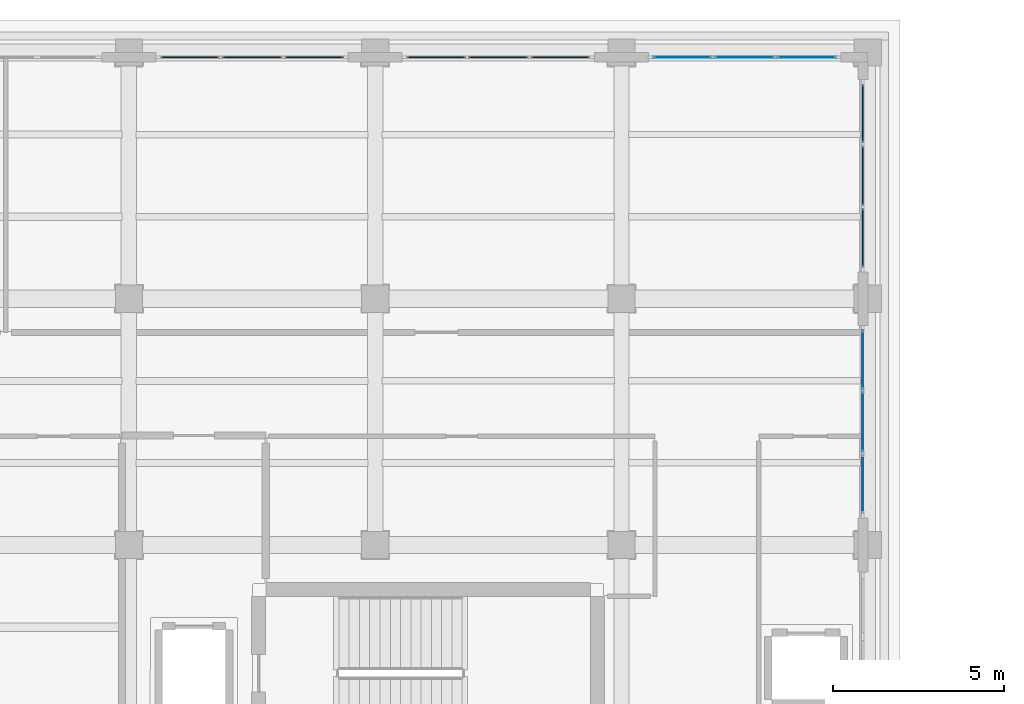
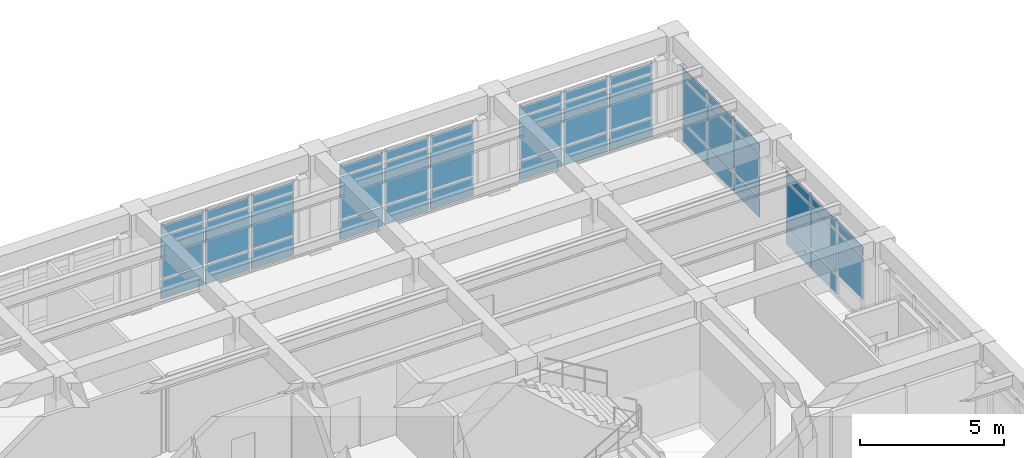
# One storey, part 77 of 98: 44 plates, 5 elements without a shape of their own.
"""IFC4 building model written with IfcOpenShell, lengths in metres."""

from ifc_helpers import new_model, si_unit, direction, frame, origin, origin_2d, place, context, subcontext, project, spatial, rectangle, extrude, material, layer, layer_set, type_object, element, aggregate, save


model = new_model("IFC4")

# Units and contexts
model_context = context("Model", 3, precision=1e-05, world=origin(), true_north=direction((0.0, 1.0)))
body_context = subcontext(model_context, "Body", "Model", "MODEL_VIEW")
ifc_project = project(units=[si_unit("LENGTHUNIT", "METRE"), si_unit("AREAUNIT", "SQUARE_METRE"), si_unit("VOLUMEUNIT", "CUBIC_METRE"), si_unit("PLANEANGLEUNIT", "RADIAN"), si_unit("MASSUNIT", "GRAM", prefix="KILO")], contexts=[model_context])

# Site, building, storey
site_placement = place(None, origin())
site = spatial("IfcSite", under=ifc_project, at=site_placement, CompositionType="ELEMENT")
building_placement = place(site_placement, origin())
building = spatial("IfcBuilding", under=site, at=building_placement, Name="Solenvale Faculty of Natural Sciences", CompositionType="ELEMENT")
storey_placement = place(building_placement, frame((0.0, 0.0, 9.0)))
storey = spatial("IfcBuildingStorey", under=building, at=storey_placement, Name="L02", CompositionType="ELEMENT", Elevation=9.0)

# Curtain wall, plates
ifc_material_1 = material(Name="Anodised bronze aluminium", Category="aluminium")
ifc_layer_1 = layer(ifc_material_1, 0.179931640625)
ifc_layer_set_1 = layer_set([ifc_layer_1], Name="Anodised bronze aluminium")
curtain_wall_type = type_object("IfcCurtainWallType", Name="CW-TWR-MOD", PredefinedType="USERDEFINED", material=ifc_layer_set_1)
curtain_wall_1_placement = place(storey_placement, origin())
curtain_wall_1 = element("IfcCurtainWall", 1, at=curtain_wall_1_placement, inside=storey, type_object=curtain_wall_type, Name="L02 Curtain Wall CW-L02-P2-E3-B2", ObjectType="UNITISED CURTAIN WALL", PredefinedType="USERDEFINED")
ifc_material_2 = material(Name="North-light skylight glass", Category="glass")
ifc_layer_2 = layer(ifc_material_2, 0.028076171875)
ifc_layer_set_2 = layer_set([ifc_layer_2], Name="North-light skylight glass")
plate_type_1 = type_object("IfcPlateType", Name="CWP-PNL-28", PredefinedType="CURTAIN_PANEL", material=ifc_layer_set_2)
plate_1_placement = place(storey_placement, frame((151.0576171875, 102.58544921875, 0.9375), z_axis=(0.0, 0.0, 1.0), x_axis=(0.0, 1.0, 0.0)))
plate_1 = element("IfcPlate", 2, at=plate_1_placement, type_object=plate_type_1, Name="CW-04 panel 1.2", PredefinedType="CURTAIN_PANEL", context=body_context, shape_type="SweptSolid", body=[
    extrude(rectangle(XDim=1.720947265625, YDim=0.028076171875, at=origin_2d()), origin(), (0.0, 0.0, 1.0), 1.784912109375),
])
plate_2_placement = place(storey_placement, frame((151.0576171875, 102.58544921875, 2.79736328125), z_axis=(0.0, 0.0, 1.0), x_axis=(0.0, 1.0, 0.0)))
plate_2 = element("IfcPlate", 3, at=plate_2_placement, type_object=plate_type_1, Name="CW-04 panel 1.3", PredefinedType="CURTAIN_PANEL", context=body_context, shape_type="SweptSolid", body=[
    extrude(rectangle(XDim=1.720947265625, YDim=0.028076171875, at=origin_2d()), origin(), (0.0, 0.0, 1.0), 0.387451171875),
])
plate_3_placement = place(storey_placement, frame((151.0576171875, 104.39990234375, 0.074951171875), z_axis=(0.0, 0.0, 1.0), x_axis=(0.0, 1.0, 0.0)))
plate_3 = element("IfcPlate", 4, at=plate_3_placement, type_object=plate_type_1, Name="CW-04 panel 2.1", PredefinedType="CURTAIN_PANEL", context=body_context, shape_type="SweptSolid", body=[
    extrude(rectangle(XDim=1.75830078125, YDim=0.028076171875, at=origin_2d()), origin(), (0.0, 0.0, 1.0), 0.78759765625),
])
plate_4_placement = place(storey_placement, frame((151.0576171875, 104.39990234375, 0.9375), z_axis=(0.0, 0.0, 1.0), x_axis=(0.0, 1.0, 0.0)))
plate_4 = element("IfcPlate", 5, at=plate_4_placement, type_object=plate_type_1, Name="CW-04 panel 2.2", PredefinedType="CURTAIN_PANEL", context=body_context, shape_type="SweptSolid", body=[
    extrude(rectangle(XDim=1.75830078125, YDim=0.028076171875, at=origin_2d()), origin(), (0.0, 0.0, 1.0), 1.784912109375),
])
plate_5_placement = place(storey_placement, frame((151.0576171875, 104.39990234375, 2.79736328125), z_axis=(0.0, 0.0, 1.0), x_axis=(0.0, 1.0, 0.0)))
plate_5 = element("IfcPlate", 6, at=plate_5_placement, type_object=plate_type_1, Name="CW-04 panel 2.3", PredefinedType="CURTAIN_PANEL", context=body_context, shape_type="SweptSolid", body=[
    extrude(rectangle(XDim=1.75830078125, YDim=0.028076171875, at=origin_2d()), origin(), (0.0, 0.0, 1.0), 0.387451171875),
])
plate_6_placement = place(storey_placement, frame((151.0576171875, 106.214599609375, 0.074951171875), z_axis=(0.0, 0.0, 1.0), x_axis=(0.0, 1.0, 0.0)))
plate_6 = element("IfcPlate", 7, at=plate_6_placement, type_object=plate_type_1, Name="CW-04 panel 3.1", PredefinedType="CURTAIN_PANEL", context=body_context, shape_type="SweptSolid", body=[
    extrude(rectangle(XDim=1.720947265625, YDim=0.028076171875, at=origin_2d()), origin(), (0.0, 0.0, 1.0), 0.78759765625),
])
plate_7_placement = place(storey_placement, frame((151.0576171875, 106.214599609375, 0.9375), z_axis=(0.0, 0.0, 1.0), x_axis=(0.0, 1.0, 0.0)))
plate_7 = element("IfcPlate", 8, at=plate_7_placement, type_object=plate_type_1, Name="CW-04 panel 3.2", PredefinedType="CURTAIN_PANEL", context=body_context, shape_type="SweptSolid", body=[
    extrude(rectangle(XDim=1.720947265625, YDim=0.028076171875, at=origin_2d()), origin(), (0.0, 0.0, 1.0), 1.784912109375),
])
plate_8_placement = place(storey_placement, frame((151.0576171875, 106.214599609375, 2.79736328125), z_axis=(0.0, 0.0, 1.0), x_axis=(0.0, 1.0, 0.0)))
plate_8 = element("IfcPlate", 9, at=plate_8_placement, type_object=plate_type_1, Name="CW-04 panel 3.3", PredefinedType="CURTAIN_PANEL", context=body_context, shape_type="SweptSolid", body=[
    extrude(rectangle(XDim=1.720947265625, YDim=0.028076171875, at=origin_2d()), origin(), (0.0, 0.0, 1.0), 0.387451171875),
])
aggregate(curtain_wall_1, [plate_1, plate_2, plate_3, plate_4, plate_5, plate_6, plate_7, plate_8])

curtain_wall_2_placement = place(storey_placement, origin())
curtain_wall_2 = element("IfcCurtainWall", 10, at=curtain_wall_2_placement, inside=storey, type_object=curtain_wall_type, Name="L02 Curtain Wall CW-L02-P2-E4-B1", ObjectType="UNITISED CURTAIN WALL", PredefinedType="USERDEFINED")
plate_9_placement = place(storey_placement, frame((149.41455078125, 115.0576171875, 0.074951171875), z_axis=(0.0, 0.0, 1.0), x_axis=(-1.0, 0.0, 0.0)))
plate_9 = element("IfcPlate", 11, at=plate_9_placement, type_object=plate_type_1, Name="CW-04 panel 1.1", PredefinedType="CURTAIN_PANEL", context=body_context, shape_type="SweptSolid", body=[
    extrude(rectangle(XDim=1.720947265625, YDim=0.028076171875, at=origin_2d()), origin(), (0.0, 0.0, 1.0), 0.78759765625),
])
plate_10_placement = place(storey_placement, frame((149.41455078125, 115.0576171875, 0.9375), z_axis=(0.0, 0.0, 1.0), x_axis=(-1.0, 0.0, 0.0)))
plate_10 = element("IfcPlate", 12, at=plate_10_placement, type_object=plate_type_1, Name="CW-04 panel 1.2", PredefinedType="CURTAIN_PANEL", context=body_context, shape_type="SweptSolid", body=[
    extrude(rectangle(XDim=1.720947265625, YDim=0.028076171875, at=origin_2d()), origin(), (0.0, 0.0, 1.0), 1.784912109375),
])
plate_11_placement = place(storey_placement, frame((149.41455078125, 115.0576171875, 2.79736328125), z_axis=(0.0, 0.0, 1.0), x_axis=(-1.0, 0.0, 0.0)))
plate_11 = element("IfcPlate", 13, at=plate_11_placement, type_object=plate_type_1, Name="CW-04 panel 1.3", PredefinedType="CURTAIN_PANEL", context=body_context, shape_type="SweptSolid", body=[
    extrude(rectangle(XDim=1.720947265625, YDim=0.028076171875, at=origin_2d()), origin(), (0.0, 0.0, 1.0), 0.387451171875),
])
plate_12_placement = place(storey_placement, frame((147.60009765625, 115.0576171875, 0.074951171875), z_axis=(0.0, 0.0, 1.0), x_axis=(-1.0, 0.0, 0.0)))
plate_12 = element("IfcPlate", 14, at=plate_12_placement, type_object=plate_type_1, Name="CW-04 panel 2.1", PredefinedType="CURTAIN_PANEL", context=body_context, shape_type="SweptSolid", body=[
    extrude(rectangle(XDim=1.75830078125, YDim=0.028076171875, at=origin_2d()), origin(), (0.0, 0.0, 1.0), 0.78759765625),
])
plate_13_placement = place(storey_placement, frame((147.60009765625, 115.0576171875, 0.9375), z_axis=(0.0, 0.0, 1.0), x_axis=(-1.0, 0.0, 0.0)))
plate_13 = element("IfcPlate", 15, at=plate_13_placement, type_object=plate_type_1, Name="CW-04 panel 2.2", PredefinedType="CURTAIN_PANEL", context=body_context, shape_type="SweptSolid", body=[
    extrude(rectangle(XDim=1.75830078125, YDim=0.028076171875, at=origin_2d()), origin(), (0.0, 0.0, 1.0), 1.784912109375),
])
plate_14_placement = place(storey_placement, frame((147.60009765625, 115.0576171875, 2.79736328125), z_axis=(0.0, 0.0, 1.0), x_axis=(-1.0, 0.0, 0.0)))
plate_14 = element("IfcPlate", 16, at=plate_14_placement, type_object=plate_type_1, Name="CW-04 panel 2.3", PredefinedType="CURTAIN_PANEL", context=body_context, shape_type="SweptSolid", body=[
    extrude(rectangle(XDim=1.75830078125, YDim=0.028076171875, at=origin_2d()), origin(), (0.0, 0.0, 1.0), 0.387451171875),
])
plate_15_placement = place(storey_placement, frame((145.785400390625, 115.0576171875, 0.074951171875), z_axis=(0.0, 0.0, 1.0), x_axis=(-1.0, 0.0, 0.0)))
plate_15 = element("IfcPlate", 17, at=plate_15_placement, type_object=plate_type_1, Name="CW-04 panel 3.1", PredefinedType="CURTAIN_PANEL", context=body_context, shape_type="SweptSolid", body=[
    extrude(rectangle(XDim=1.720947265625, YDim=0.028076171875, at=origin_2d()), origin(), (0.0, 0.0, 1.0), 0.78759765625),
])
plate_16_placement = place(storey_placement, frame((145.785400390625, 115.0576171875, 0.9375), z_axis=(0.0, 0.0, 1.0), x_axis=(-1.0, 0.0, 0.0)))
plate_16 = element("IfcPlate", 18, at=plate_16_placement, type_object=plate_type_1, Name="CW-04 panel 3.2", PredefinedType="CURTAIN_PANEL", context=body_context, shape_type="SweptSolid", body=[
    extrude(rectangle(XDim=1.720947265625, YDim=0.028076171875, at=origin_2d()), origin(), (0.0, 0.0, 1.0), 1.784912109375),
])
plate_17_placement = place(storey_placement, frame((145.785400390625, 115.0576171875, 2.79736328125), z_axis=(0.0, 0.0, 1.0), x_axis=(-1.0, 0.0, 0.0)))
plate_17 = element("IfcPlate", 19, at=plate_17_placement, type_object=plate_type_1, Name="CW-04 panel 3.3", PredefinedType="CURTAIN_PANEL", context=body_context, shape_type="SweptSolid", body=[
    extrude(rectangle(XDim=1.720947265625, YDim=0.028076171875, at=origin_2d()), origin(), (0.0, 0.0, 1.0), 0.387451171875),
])
aggregate(curtain_wall_2, [plate_9, plate_10, plate_11, plate_12, plate_13, plate_14, plate_15, plate_16, plate_17])

curtain_wall_3_placement = place(storey_placement, origin())
curtain_wall_3 = element("IfcCurtainWall", 20, at=curtain_wall_3_placement, inside=storey, type_object=curtain_wall_type, Name="L02 Curtain Wall CW-L02-P2-E3-B3", ObjectType="UNITISED CURTAIN WALL", PredefinedType="USERDEFINED")
ifc_material_3 = material(Name="Triple low-E insulated glass", Category="glass")
ifc_layer_3 = layer(ifc_material_3, 0.031982421875)
ifc_layer_set_3 = layer_set([ifc_layer_3], Name="Triple low-E insulated glass")
plate_type_2 = type_object("IfcPlateType", Name="CWP-PNL-32", PredefinedType="CURTAIN_PANEL", material=ifc_layer_set_3)
plate_18_placement = place(storey_placement, frame((151.0576171875, 109.785400390625, 0.074951171875), z_axis=(0.0, 0.0, 1.0), x_axis=(0.0, 1.0, 0.0)))
plate_18 = element("IfcPlate", 21, at=plate_18_placement, type_object=plate_type_2, Name="CW-04 panel 1.1", PredefinedType="CURTAIN_PANEL", context=body_context, shape_type="SweptSolid", body=[
    extrude(rectangle(XDim=1.720947265625, YDim=0.031982421875, at=origin_2d()), origin(), (0.0, 0.0, 1.0), 0.78759765625),
])
plate_19_placement = place(storey_placement, frame((151.0576171875, 109.785400390625, 0.9375), z_axis=(0.0, 0.0, 1.0), x_axis=(0.0, 1.0, 0.0)))
plate_19 = element("IfcPlate", 22, at=plate_19_placement, type_object=plate_type_2, Name="CW-04 panel 1.2", PredefinedType="CURTAIN_PANEL", context=body_context, shape_type="SweptSolid", body=[
    extrude(rectangle(XDim=1.720947265625, YDim=0.031982421875, at=origin_2d()), origin(), (0.0, 0.0, 1.0), 1.784912109375),
])
plate_20_placement = place(storey_placement, frame((151.0576171875, 109.785400390625, 2.79736328125), z_axis=(0.0, 0.0, 1.0), x_axis=(0.0, 1.0, 0.0)))
plate_20 = element("IfcPlate", 23, at=plate_20_placement, type_object=plate_type_2, Name="CW-04 panel 1.3", PredefinedType="CURTAIN_PANEL", context=body_context, shape_type="SweptSolid", body=[
    extrude(rectangle(XDim=1.720947265625, YDim=0.031982421875, at=origin_2d()), origin(), (0.0, 0.0, 1.0), 0.387451171875),
])
plate_21_placement = place(storey_placement, frame((151.0576171875, 111.60009765625, 0.074951171875), z_axis=(0.0, 0.0, 1.0), x_axis=(0.0, 1.0, 0.0)))
plate_21 = element("IfcPlate", 24, at=plate_21_placement, type_object=plate_type_2, Name="CW-04 panel 2.1", PredefinedType="CURTAIN_PANEL", context=body_context, shape_type="SweptSolid", body=[
    extrude(rectangle(XDim=1.75830078125, YDim=0.031982421875, at=origin_2d()), origin(), (0.0, 0.0, 1.0), 0.78759765625),
])
plate_22_placement = place(storey_placement, frame((151.0576171875, 111.60009765625, 0.9375), z_axis=(0.0, 0.0, 1.0), x_axis=(0.0, 1.0, 0.0)))
plate_22 = element("IfcPlate", 25, at=plate_22_placement, type_object=plate_type_2, Name="CW-04 panel 2.2", PredefinedType="CURTAIN_PANEL", context=body_context, shape_type="SweptSolid", body=[
    extrude(rectangle(XDim=1.75830078125, YDim=0.031982421875, at=origin_2d()), origin(), (0.0, 0.0, 1.0), 1.784912109375),
])
plate_23_placement = place(storey_placement, frame((151.0576171875, 111.60009765625, 2.79736328125), z_axis=(0.0, 0.0, 1.0), x_axis=(0.0, 1.0, 0.0)))
plate_23 = element("IfcPlate", 26, at=plate_23_placement, type_object=plate_type_2, Name="CW-04 panel 2.3", PredefinedType="CURTAIN_PANEL", context=body_context, shape_type="SweptSolid", body=[
    extrude(rectangle(XDim=1.75830078125, YDim=0.031982421875, at=origin_2d()), origin(), (0.0, 0.0, 1.0), 0.387451171875),
])
plate_24_placement = place(storey_placement, frame((151.0576171875, 113.41455078125, 0.074951171875), z_axis=(0.0, 0.0, 1.0), x_axis=(0.0, 1.0, 0.0)))
plate_24 = element("IfcPlate", 27, at=plate_24_placement, type_object=plate_type_2, Name="CW-04 panel 3.1", PredefinedType="CURTAIN_PANEL", context=body_context, shape_type="SweptSolid", body=[
    extrude(rectangle(XDim=1.720947265625, YDim=0.031982421875, at=origin_2d()), origin(), (0.0, 0.0, 1.0), 0.78759765625),
])
plate_25_placement = place(storey_placement, frame((151.0576171875, 113.41455078125, 0.9375), z_axis=(0.0, 0.0, 1.0), x_axis=(0.0, 1.0, 0.0)))
plate_25 = element("IfcPlate", 28, at=plate_25_placement, type_object=plate_type_2, Name="CW-04 panel 3.2", PredefinedType="CURTAIN_PANEL", context=body_context, shape_type="SweptSolid", body=[
    extrude(rectangle(XDim=1.720947265625, YDim=0.031982421875, at=origin_2d()), origin(), (0.0, 0.0, 1.0), 1.784912109375),
])
plate_26_placement = place(storey_placement, frame((151.0576171875, 113.41455078125, 2.79736328125), z_axis=(0.0, 0.0, 1.0), x_axis=(0.0, 1.0, 0.0)))
plate_26 = element("IfcPlate", 29, at=plate_26_placement, type_object=plate_type_2, Name="CW-04 panel 3.3", PredefinedType="CURTAIN_PANEL", context=body_context, shape_type="SweptSolid", body=[
    extrude(rectangle(XDim=1.720947265625, YDim=0.031982421875, at=origin_2d()), origin(), (0.0, 0.0, 1.0), 0.387451171875),
])
aggregate(curtain_wall_3, [plate_18, plate_19, plate_20, plate_21, plate_22, plate_23, plate_24, plate_25, plate_26])

curtain_wall_4_placement = place(storey_placement, origin())
curtain_wall_4 = element("IfcCurtainWall", 30, at=curtain_wall_4_placement, inside=storey, type_object=curtain_wall_type, Name="L02 Curtain Wall CW-L02-P2-E4-B2", ObjectType="UNITISED CURTAIN WALL", PredefinedType="USERDEFINED")
plate_27_placement = place(storey_placement, frame((142.214599609375, 115.0576171875, 0.074951171875), z_axis=(0.0, 0.0, 1.0), x_axis=(-1.0, 0.0, 0.0)))
plate_27 = element("IfcPlate", 31, at=plate_27_placement, type_object=plate_type_2, Name="CW-04 panel 1.1", PredefinedType="CURTAIN_PANEL", context=body_context, shape_type="SweptSolid", body=[
    extrude(rectangle(XDim=1.720947265625, YDim=0.031982421875, at=origin_2d()), origin(), (0.0, 0.0, 1.0), 0.78759765625),
])
plate_28_placement = place(storey_placement, frame((142.214599609375, 115.0576171875, 0.9375), z_axis=(0.0, 0.0, 1.0), x_axis=(-1.0, 0.0, 0.0)))
plate_28 = element("IfcPlate", 32, at=plate_28_placement, type_object=plate_type_2, Name="CW-04 panel 1.2", PredefinedType="CURTAIN_PANEL", context=body_context, shape_type="SweptSolid", body=[
    extrude(rectangle(XDim=1.720947265625, YDim=0.031982421875, at=origin_2d()), origin(), (0.0, 0.0, 1.0), 1.784912109375),
])
plate_29_placement = place(storey_placement, frame((142.214599609375, 115.0576171875, 2.79736328125), z_axis=(0.0, 0.0, 1.0), x_axis=(-1.0, 0.0, 0.0)))
plate_29 = element("IfcPlate", 33, at=plate_29_placement, type_object=plate_type_2, Name="CW-04 panel 1.3", PredefinedType="CURTAIN_PANEL", context=body_context, shape_type="SweptSolid", body=[
    extrude(rectangle(XDim=1.720947265625, YDim=0.031982421875, at=origin_2d()), origin(), (0.0, 0.0, 1.0), 0.387451171875),
])
plate_30_placement = place(storey_placement, frame((140.39990234375, 115.0576171875, 0.074951171875), z_axis=(0.0, 0.0, 1.0), x_axis=(-1.0, 0.0, 0.0)))
plate_30 = element("IfcPlate", 34, at=plate_30_placement, type_object=plate_type_2, Name="CW-04 panel 2.1", PredefinedType="CURTAIN_PANEL", context=body_context, shape_type="SweptSolid", body=[
    extrude(rectangle(XDim=1.75830078125, YDim=0.031982421875, at=origin_2d()), origin(), (0.0, 0.0, 1.0), 0.78759765625),
])
plate_31_placement = place(storey_placement, frame((140.39990234375, 115.0576171875, 0.9375), z_axis=(0.0, 0.0, 1.0), x_axis=(-1.0, 0.0, 0.0)))
plate_31 = element("IfcPlate", 35, at=plate_31_placement, type_object=plate_type_2, Name="CW-04 panel 2.2", PredefinedType="CURTAIN_PANEL", context=body_context, shape_type="SweptSolid", body=[
    extrude(rectangle(XDim=1.75830078125, YDim=0.031982421875, at=origin_2d()), origin(), (0.0, 0.0, 1.0), 1.784912109375),
])
plate_32_placement = place(storey_placement, frame((140.39990234375, 115.0576171875, 2.79736328125), z_axis=(0.0, 0.0, 1.0), x_axis=(-1.0, 0.0, 0.0)))
plate_32 = element("IfcPlate", 36, at=plate_32_placement, type_object=plate_type_2, Name="CW-04 panel 2.3", PredefinedType="CURTAIN_PANEL", context=body_context, shape_type="SweptSolid", body=[
    extrude(rectangle(XDim=1.75830078125, YDim=0.031982421875, at=origin_2d()), origin(), (0.0, 0.0, 1.0), 0.387451171875),
])
plate_33_placement = place(storey_placement, frame((138.58544921875, 115.0576171875, 0.074951171875), z_axis=(0.0, 0.0, 1.0), x_axis=(-1.0, 0.0, 0.0)))
plate_33 = element("IfcPlate", 37, at=plate_33_placement, type_object=plate_type_2, Name="CW-04 panel 3.1", PredefinedType="CURTAIN_PANEL", context=body_context, shape_type="SweptSolid", body=[
    extrude(rectangle(XDim=1.720947265625, YDim=0.031982421875, at=origin_2d()), origin(), (0.0, 0.0, 1.0), 0.78759765625),
])
plate_34_placement = place(storey_placement, frame((138.58544921875, 115.0576171875, 0.9375), z_axis=(0.0, 0.0, 1.0), x_axis=(-1.0, 0.0, 0.0)))
plate_34 = element("IfcPlate", 38, at=plate_34_placement, type_object=plate_type_2, Name="CW-04 panel 3.2", PredefinedType="CURTAIN_PANEL", context=body_context, shape_type="SweptSolid", body=[
    extrude(rectangle(XDim=1.720947265625, YDim=0.031982421875, at=origin_2d()), origin(), (0.0, 0.0, 1.0), 1.784912109375),
])
plate_35_placement = place(storey_placement, frame((138.58544921875, 115.0576171875, 2.79736328125), z_axis=(0.0, 0.0, 1.0), x_axis=(-1.0, 0.0, 0.0)))
plate_35 = element("IfcPlate", 39, at=plate_35_placement, type_object=plate_type_2, Name="CW-04 panel 3.3", PredefinedType="CURTAIN_PANEL", context=body_context, shape_type="SweptSolid", body=[
    extrude(rectangle(XDim=1.720947265625, YDim=0.031982421875, at=origin_2d()), origin(), (0.0, 0.0, 1.0), 0.387451171875),
])
aggregate(curtain_wall_4, [plate_27, plate_28, plate_29, plate_30, plate_31, plate_32, plate_33, plate_34, plate_35])

curtain_wall_5_placement = place(storey_placement, origin())
curtain_wall_5 = element("IfcCurtainWall", 40, at=curtain_wall_5_placement, inside=storey, type_object=curtain_wall_type, Name="L02 Curtain Wall CW-L02-P2-E4-B3", ObjectType="UNITISED CURTAIN WALL", PredefinedType="USERDEFINED")
ifc_layer_4 = layer(ifc_material_3, 0.035888671875)
ifc_layer_set_4 = layer_set([ifc_layer_4], Name="Triple low-E insulated glass")
plate_type_3 = type_object("IfcPlateType", Name="CWP-PNL-36", PredefinedType="CURTAIN_PANEL", material=ifc_layer_set_4)
plate_36_placement = place(storey_placement, frame((135.0146484375, 115.0576171875, 0.074951171875), z_axis=(0.0, 0.0, 1.0), x_axis=(-1.0, 0.0, 0.0)))
plate_36 = element("IfcPlate", 41, at=plate_36_placement, type_object=plate_type_3, Name="CW-04 panel 1.1", PredefinedType="CURTAIN_PANEL", context=body_context, shape_type="SweptSolid", body=[
    extrude(rectangle(XDim=1.720947265625, YDim=0.035888671875, at=origin_2d()), origin(), (0.0, 0.0, 1.0), 0.78759765625),
])
plate_37_placement = place(storey_placement, frame((135.0146484375, 115.0576171875, 0.9375), z_axis=(0.0, 0.0, 1.0), x_axis=(-1.0, 0.0, 0.0)))
plate_37 = element("IfcPlate", 42, at=plate_37_placement, type_object=plate_type_3, Name="CW-04 panel 1.2", PredefinedType="CURTAIN_PANEL", context=body_context, shape_type="SweptSolid", body=[
    extrude(rectangle(XDim=1.720947265625, YDim=0.035888671875, at=origin_2d()), origin(), (0.0, 0.0, 1.0), 1.784912109375),
])
plate_38_placement = place(storey_placement, frame((135.0146484375, 115.0576171875, 2.79736328125), z_axis=(0.0, 0.0, 1.0), x_axis=(-1.0, 0.0, 0.0)))
plate_38 = element("IfcPlate", 43, at=plate_38_placement, type_object=plate_type_3, Name="CW-04 panel 1.3", PredefinedType="CURTAIN_PANEL", context=body_context, shape_type="SweptSolid", body=[
    extrude(rectangle(XDim=1.720947265625, YDim=0.035888671875, at=origin_2d()), origin(), (0.0, 0.0, 1.0), 0.387451171875),
])
plate_39_placement = place(storey_placement, frame((133.199951171875, 115.0576171875, 0.074951171875), z_axis=(0.0, 0.0, 1.0), x_axis=(-1.0, 0.0, 0.0)))
plate_39 = element("IfcPlate", 44, at=plate_39_placement, type_object=plate_type_3, Name="CW-04 panel 2.1", PredefinedType="CURTAIN_PANEL", context=body_context, shape_type="SweptSolid", body=[
    extrude(rectangle(XDim=1.75830078125, YDim=0.035888671875, at=origin_2d()), origin(), (0.0, 0.0, 1.0), 0.78759765625),
])
plate_40_placement = place(storey_placement, frame((133.199951171875, 115.0576171875, 0.9375), z_axis=(0.0, 0.0, 1.0), x_axis=(-1.0, 0.0, 0.0)))
plate_40 = element("IfcPlate", 45, at=plate_40_placement, type_object=plate_type_3, Name="CW-04 panel 2.2", PredefinedType="CURTAIN_PANEL", context=body_context, shape_type="SweptSolid", body=[
    extrude(rectangle(XDim=1.75830078125, YDim=0.035888671875, at=origin_2d()), origin(), (0.0, 0.0, 1.0), 1.784912109375),
])
plate_41_placement = place(storey_placement, frame((133.199951171875, 115.0576171875, 2.79736328125), z_axis=(0.0, 0.0, 1.0), x_axis=(-1.0, 0.0, 0.0)))
plate_41 = element("IfcPlate", 46, at=plate_41_placement, type_object=plate_type_3, Name="CW-04 panel 2.3", PredefinedType="CURTAIN_PANEL", context=body_context, shape_type="SweptSolid", body=[
    extrude(rectangle(XDim=1.75830078125, YDim=0.035888671875, at=origin_2d()), origin(), (0.0, 0.0, 1.0), 0.387451171875),
])
plate_42_placement = place(storey_placement, frame((131.385498046875, 115.0576171875, 0.074951171875), z_axis=(0.0, 0.0, 1.0), x_axis=(-1.0, 0.0, 0.0)))
plate_42 = element("IfcPlate", 47, at=plate_42_placement, type_object=plate_type_3, Name="CW-04 panel 3.1", PredefinedType="CURTAIN_PANEL", context=body_context, shape_type="SweptSolid", body=[
    extrude(rectangle(XDim=1.720947265625, YDim=0.035888671875, at=origin_2d()), origin(), (0.0, 0.0, 1.0), 0.78759765625),
])
plate_43_placement = place(storey_placement, frame((131.385498046875, 115.0576171875, 0.9375), z_axis=(0.0, 0.0, 1.0), x_axis=(-1.0, 0.0, 0.0)))
plate_43 = element("IfcPlate", 48, at=plate_43_placement, type_object=plate_type_3, Name="CW-04 panel 3.2", PredefinedType="CURTAIN_PANEL", context=body_context, shape_type="SweptSolid", body=[
    extrude(rectangle(XDim=1.720947265625, YDim=0.035888671875, at=origin_2d()), origin(), (0.0, 0.0, 1.0), 1.784912109375),
])
plate_44_placement = place(storey_placement, frame((131.385498046875, 115.0576171875, 2.79736328125), z_axis=(0.0, 0.0, 1.0), x_axis=(-1.0, 0.0, 0.0)))
plate_44 = element("IfcPlate", 49, at=plate_44_placement, type_object=plate_type_3, Name="CW-04 panel 3.3", PredefinedType="CURTAIN_PANEL", context=body_context, shape_type="SweptSolid", body=[
    extrude(rectangle(XDim=1.720947265625, YDim=0.035888671875, at=origin_2d()), origin(), (0.0, 0.0, 1.0), 0.387451171875),
])
aggregate(curtain_wall_5, [plate_36, plate_37, plate_38, plate_39, plate_40, plate_41, plate_42, plate_43, plate_44])

save(model, "model.ifc")
